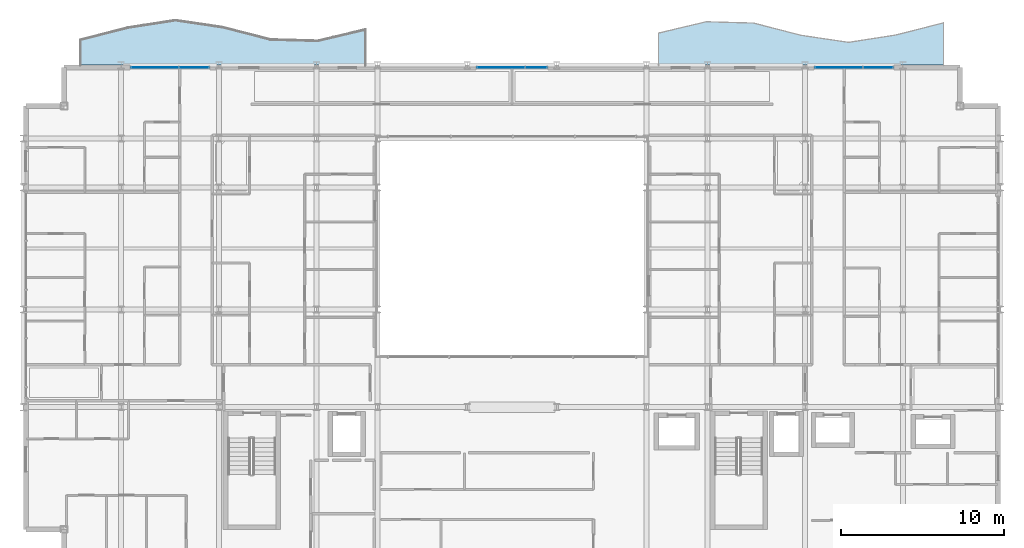
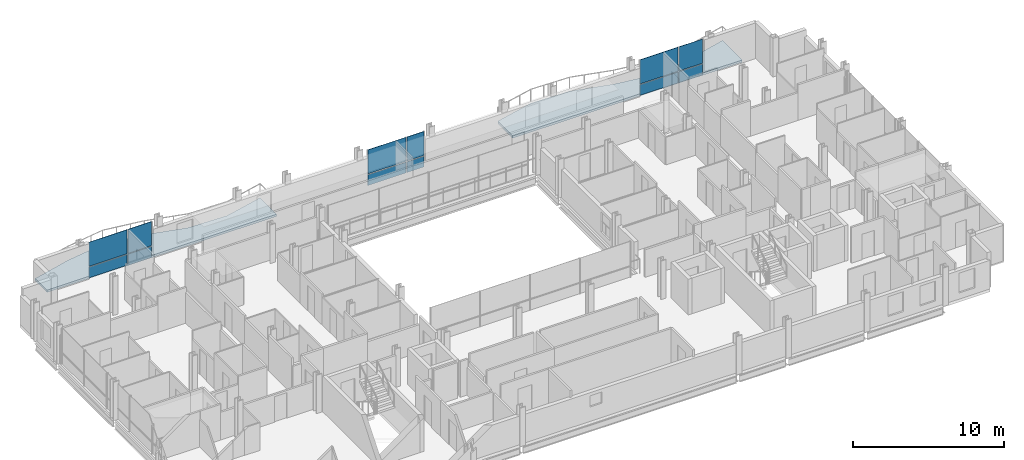
# One storey, part 29 of 41: 12 plates, 2 slabs, 3 elements without a shape of their own.
"""IFC4 building model written with IfcOpenShell, lengths in metres."""

from ifc_helpers import new_model, si_unit, direction, frame, origin, origin_2d, place, context, subcontext, project, spatial, polyline, rectangle, outline, extrude, material, layer, layer_set, type_object, element, aggregate, save


model = new_model("IFC4")

# Units and contexts
model_context = context("Model", 3, precision=1e-05, world=origin(), true_north=direction((0.0, 1.0)))
body_context = subcontext(model_context, "Body", "Model", "MODEL_VIEW")
ifc_project = project(units=[si_unit("LENGTHUNIT", "METRE"), si_unit("AREAUNIT", "SQUARE_METRE"), si_unit("VOLUMEUNIT", "CUBIC_METRE"), si_unit("PLANEANGLEUNIT", "RADIAN"), si_unit("MASSUNIT", "GRAM", prefix="KILO")], contexts=[model_context])

# Site, building, storey
site_placement = place(None, origin())
site = spatial("IfcSite", under=ifc_project, at=site_placement, CompositionType="ELEMENT")
building_placement = place(site_placement, origin())
building = spatial("IfcBuilding", under=site, at=building_placement, Name="Brevholm Reach", CompositionType="ELEMENT")
storey_placement = place(building_placement, frame((0.0, 0.0, 68.300048828125)))
storey = spatial("IfcBuildingStorey", under=building, at=storey_placement, Name="L19", CompositionType="ELEMENT", Elevation=68.300048828125)

# Curtain wall, plates
ifc_material_1 = material(Name="Dark Anodised Aluminium 6063-T6 and Solar-Control Glass", Category="aluminium")
ifc_layer_1 = layer(ifc_material_1, 0.14990234375)
ifc_layer_set_1 = layer_set([ifc_layer_1], Name="Dark Anodised Aluminium 6063-T6 and Solar-Control Glass")
curtain_wall_type = type_object("IfcCurtainWallType", Name="CW-01", PredefinedType="NOTDEFINED", material=ifc_layer_set_1)
curtain_wall_1_placement = place(storey_placement, origin())
curtain_wall_1 = element("IfcCurtainWall", 1, at=curtain_wall_1_placement, inside=storey, type_object=curtain_wall_type, Name="L19 Curtain Wall CW-01", PredefinedType="NOTDEFINED")
ifc_material_2 = material(Name="Dark Solar-Control Double-Glazed IGU Glass", Category="glass")
ifc_layer_2 = layer(ifc_material_2, 0.028076171875)
ifc_layer_set_2 = layer_set([ifc_layer_2], Name="Dark Solar-Control Double-Glazed IGU Glass")
plate_type = type_object("IfcPlateType", Name="CWP-GLZ-28", PredefinedType="CURTAIN_PANEL", material=ifc_layer_set_2)
plate_1_placement = place(storey_placement, frame((8.066162109375, 30.85009765625, 0.0), z_axis=(0.0, 0.0, 1.0), x_axis=(1.0, 0.0, 0.0)))
plate_1 = element("IfcPlate", 2, at=plate_1_placement, type_object=plate_type, Name="CP-01 Glazing Panel 1.1", PredefinedType="CURTAIN_PANEL", context=body_context, shape_type="SweptSolid", body=[
    extrude(rectangle(XDim=2.902587890625, YDim=0.028076171875, at=origin_2d()), origin(), (0.0, 0.0, 1.0), 0.867431640625),
])
plate_2_placement = place(storey_placement, frame((8.066162109375, 30.85009765625, 0.932373046875), z_axis=(0.0, 0.0, 1.0), x_axis=(1.0, 0.0, 0.0)))
plate_2 = element("IfcPlate", 3, at=plate_2_placement, type_object=plate_type, Name="CP-01 Glazing Panel 1.2", PredefinedType="CURTAIN_PANEL", context=body_context, shape_type="SweptSolid", body=[
    extrude(rectangle(XDim=2.902587890625, YDim=0.028076171875, at=origin_2d()), origin(), (0.0, 0.0, 1.0), 1.9375),
])
plate_3_placement = place(storey_placement, frame((10.483642578125, 30.85009765625, 0.0), z_axis=(0.0, 0.0, 1.0), x_axis=(1.0, 0.0, 0.0)))
plate_3 = element("IfcPlate", 4, at=plate_3_placement, type_object=plate_type, Name="CP-01 Glazing Panel 2.1", PredefinedType="CURTAIN_PANEL", context=body_context, shape_type="SweptSolid", body=[
    extrude(rectangle(XDim=1.802490234375, YDim=0.028076171875, at=origin_2d()), origin(), (0.0, 0.0, 1.0), 0.867431640625),
])
plate_4_placement = place(storey_placement, frame((10.483642578125, 30.85009765625, 0.932373046875), z_axis=(0.0, 0.0, 1.0), x_axis=(1.0, 0.0, 0.0)))
plate_4 = element("IfcPlate", 5, at=plate_4_placement, type_object=plate_type, Name="CP-01 Glazing Panel 2.2", PredefinedType="CURTAIN_PANEL", context=body_context, shape_type="SweptSolid", body=[
    extrude(rectangle(XDim=1.802490234375, YDim=0.028076171875, at=origin_2d()), origin(), (0.0, 0.0, 1.0), 1.9375),
])
aggregate(curtain_wall_1, [plate_1, plate_2, plate_3, plate_4])

curtain_wall_2_placement = place(storey_placement, origin())
curtain_wall_2 = element("IfcCurtainWall", 6, at=curtain_wall_2_placement, inside=storey, type_object=curtain_wall_type, Name="L19 Curtain Wall CW-01", PredefinedType="NOTDEFINED")
plate_5_placement = place(storey_placement, frame((29.316162109375, 30.85009765625, 0.0), z_axis=(0.0, 0.0, 1.0), x_axis=(1.0, 0.0, 0.0)))
plate_5 = element("IfcPlate", 7, at=plate_5_placement, type_object=plate_type, Name="CP-01 Glazing Panel 1.1", PredefinedType="CURTAIN_PANEL", context=body_context, shape_type="SweptSolid", body=[
    extrude(rectangle(XDim=2.902587890625, YDim=0.028076171875, at=origin_2d()), origin(), (0.0, 0.0, 1.0), 0.867431640625),
])
plate_6_placement = place(storey_placement, frame((29.316162109375, 30.85009765625, 0.932373046875), z_axis=(0.0, 0.0, 1.0), x_axis=(1.0, 0.0, 0.0)))
plate_6 = element("IfcPlate", 8, at=plate_6_placement, type_object=plate_type, Name="CP-01 Glazing Panel 1.2", PredefinedType="CURTAIN_PANEL", context=body_context, shape_type="SweptSolid", body=[
    extrude(rectangle(XDim=2.902587890625, YDim=0.028076171875, at=origin_2d()), origin(), (0.0, 0.0, 1.0), 1.9375),
])
plate_7_placement = place(storey_placement, frame((31.483642578125, 30.85009765625, 0.0), z_axis=(0.0, 0.0, 1.0), x_axis=(1.0, 0.0, 0.0)))
plate_7 = element("IfcPlate", 9, at=plate_7_placement, type_object=plate_type, Name="CP-01 Glazing Panel 2.1", PredefinedType="CURTAIN_PANEL", context=body_context, shape_type="SweptSolid", body=[
    extrude(rectangle(XDim=1.302490234375, YDim=0.028076171875, at=origin_2d()), origin(), (0.0, 0.0, 1.0), 0.867431640625),
])
plate_8_placement = place(storey_placement, frame((31.483642578125, 30.85009765625, 0.932373046875), z_axis=(0.0, 0.0, 1.0), x_axis=(1.0, 0.0, 0.0)))
plate_8 = element("IfcPlate", 10, at=plate_8_placement, type_object=plate_type, Name="CP-01 Glazing Panel 2.2", PredefinedType="CURTAIN_PANEL", context=body_context, shape_type="SweptSolid", body=[
    extrude(rectangle(XDim=1.302490234375, YDim=0.028076171875, at=origin_2d()), origin(), (0.0, 0.0, 1.0), 1.9375),
])
aggregate(curtain_wall_2, [plate_5, plate_6, plate_7, plate_8])

curtain_wall_3_placement = place(storey_placement, origin())
curtain_wall_3 = element("IfcCurtainWall", 11, at=curtain_wall_3_placement, inside=storey, type_object=curtain_wall_type, Name="L19 Curtain Wall CW-01", PredefinedType="NOTDEFINED")
plate_9_placement = place(storey_placement, frame((50.066162109375, 30.85009765625, 0.0), z_axis=(0.0, 0.0, 1.0), x_axis=(1.0, 0.0, 0.0)))
plate_9 = element("IfcPlate", 12, at=plate_9_placement, type_object=plate_type, Name="CP-01 Glazing Panel 1.1", PredefinedType="CURTAIN_PANEL", context=body_context, shape_type="SweptSolid", body=[
    extrude(rectangle(XDim=2.902587890625, YDim=0.028076171875, at=origin_2d()), origin(), (0.0, 0.0, 1.0), 0.867431640625),
])
plate_10_placement = place(storey_placement, frame((50.066162109375, 30.85009765625, 0.932373046875), z_axis=(0.0, 0.0, 1.0), x_axis=(1.0, 0.0, 0.0)))
plate_10 = element("IfcPlate", 13, at=plate_10_placement, type_object=plate_type, Name="CP-01 Glazing Panel 1.2", PredefinedType="CURTAIN_PANEL", context=body_context, shape_type="SweptSolid", body=[
    extrude(rectangle(XDim=2.902587890625, YDim=0.028076171875, at=origin_2d()), origin(), (0.0, 0.0, 1.0), 1.9375),
])
plate_11_placement = place(storey_placement, frame((52.483642578125, 30.85009765625, 0.0), z_axis=(0.0, 0.0, 1.0), x_axis=(1.0, 0.0, 0.0)))
plate_11 = element("IfcPlate", 14, at=plate_11_placement, type_object=plate_type, Name="CP-01 Glazing Panel 2.1", PredefinedType="CURTAIN_PANEL", context=body_context, shape_type="SweptSolid", body=[
    extrude(rectangle(XDim=1.802490234375, YDim=0.028076171875, at=origin_2d()), origin(), (0.0, 0.0, 1.0), 0.867431640625),
])
plate_12_placement = place(storey_placement, frame((52.483642578125, 30.85009765625, 0.932373046875), z_axis=(0.0, 0.0, 1.0), x_axis=(1.0, 0.0, 0.0)))
plate_12 = element("IfcPlate", 15, at=plate_12_placement, type_object=plate_type, Name="CP-01 Glazing Panel 2.2", PredefinedType="CURTAIN_PANEL", context=body_context, shape_type="SweptSolid", body=[
    extrude(rectangle(XDim=1.802490234375, YDim=0.028076171875, at=origin_2d()), origin(), (0.0, 0.0, 1.0), 1.9375),
])
aggregate(curtain_wall_3, [plate_9, plate_10, plate_11, plate_12])

# Slabs
ifc_material_3 = material(Name="Precast Concrete C40/50", Category="concrete")
ifc_layer_3 = layer(ifc_material_3, 0.179931640625)
ifc_layer_set_3 = layer_set([ifc_layer_3], Name="Precast Concrete C40/50")
slab_type = type_object("IfcSlabType", Name="SLB-BAL-180", PredefinedType="FLOOR", material=ifc_layer_set_3)
slab_1_placement = place(storey_placement, frame((0.0, 0.0, -0.179931640625)))
element("IfcSlab", 16, at=slab_1_placement, inside=storey, type_object=slab_type, Name="L19 Rippling External Balcony NE", PredefinedType="FLOOR", context=body_context, shape_type="SweptSolid", body=[
    extrude(outline(polyline([(39.0, 31.0), (56.5, 31.0), (56.5, 33.599609375), (53.583251953125, 32.855224609375), (50.666748046875, 32.400146484375), (47.75, 32.8330078125), (44.833251953125, 33.58447265625), (41.916748046875, 33.665283203125), (39.0, 32.969482421875), (39.0, 31.0)])), origin(), (0.0, 0.0, 1.0), 0.179931640625),
])
slab_2_placement = place(storey_placement, frame((0.0, 0.0, -0.179931640625)))
element("IfcSlab", 17, at=slab_2_placement, inside=storey, type_object=slab_type, Name="L19 Rippling External Balcony NW", PredefinedType="FLOOR", context=body_context, shape_type="SweptSolid", body=[
    extrude(outline(polyline([(3.5, 31.0), (21.0, 31.0), (21.0, 33.1806640625), (18.083251953125, 32.484619140625), (15.166748046875, 32.565673828125), (12.25, 33.31689453125), (9.333251953125, 33.75), (6.416748046875, 33.294921875), (3.5, 32.55029296875), (3.5, 31.0)])), origin(), (0.0, 0.0, 1.0), 0.179931640625),
])

save(model, "model.ifc")
